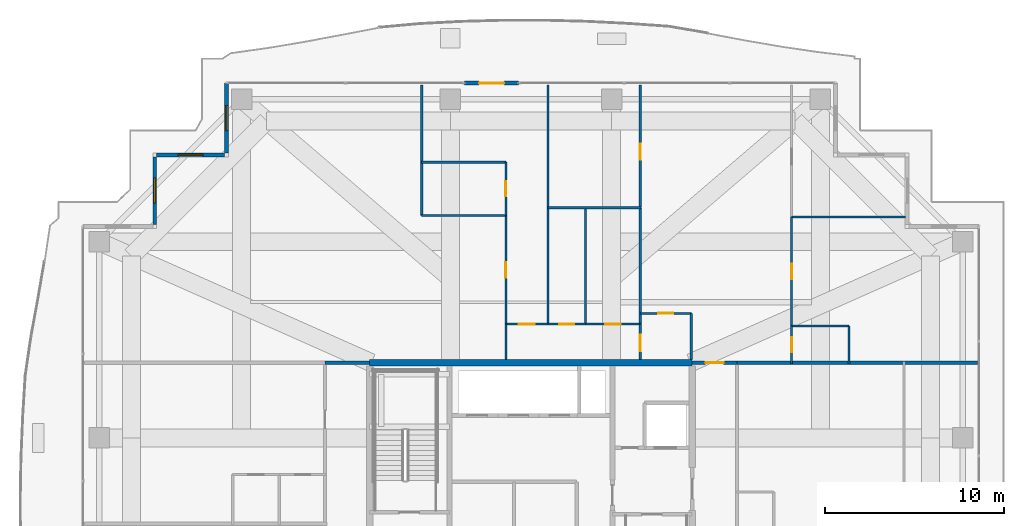
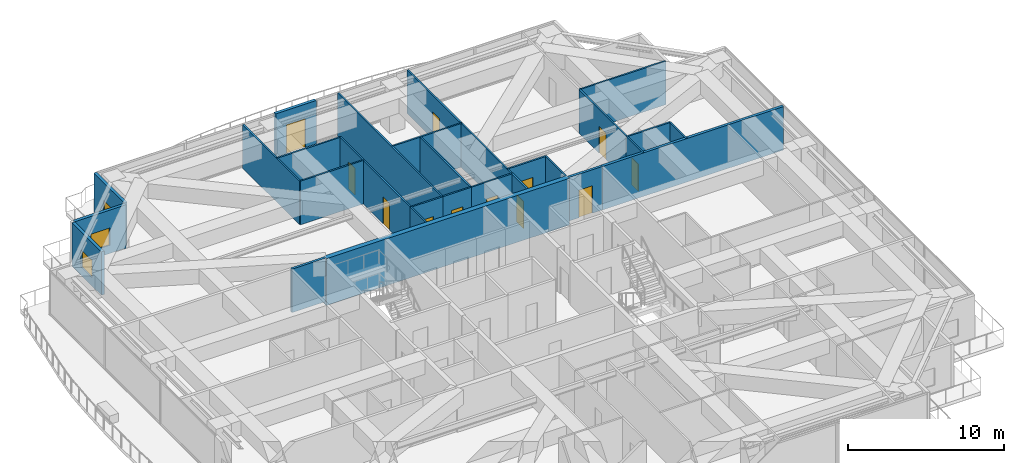
# One storey, part 31 of 39: 30 walls, 12 doors, 3 windows, 15 openings.
"""IFC4 building model written with IfcOpenShell, lengths in metres."""

import ifcopenshell
import ifcopenshell.guid

model = None  # the IFC model being written
_history = None  # IfcOwnerHistory: only IFC2X3 demands one
_inside = {}  # id of a spatial element -> (the spatial element, [elements in it])
_under = {}  # id of a project, library or spatial element -> (it, [spatial elements below it])
_declared = {}  # id of a project -> (the project, [libraries it declares])
_typed = {}  # id of a type object -> (the type object, [elements of that type])
_made_of = {}  # id of a material, layer set ... -> (it, [elements and type objects made of it])


def new_model(schema):
    """Start an empty IFC model of exactly this schema.

    Asked for "IFC4X3", IfcOpenShell would pick the latest addendum, in which some entities
    have other attributes; the version numbers below select the first issue.
    IFC2X3 requires an IfcOwnerHistory on every rooted entity: one is made here for all.
    """
    global model, _history
    if schema == "IFC4X3":
        model = ifcopenshell.file(schema_version=(4, 3, 0, 0))
    else:
        model = ifcopenshell.file(schema=schema)
    _inside.clear()
    _under.clear()
    _declared.clear()
    _typed.clear()
    _made_of.clear()
    _history = None
    if model.schema == "IFC2X3":
        org = make("IfcOrganization", Name="unknown")
        user = make(
            "IfcPersonAndOrganization",
            ThePerson=make("IfcPerson", FamilyName="unknown"),
            TheOrganization=org,
        )
        app = make(
            "IfcApplication",
            ApplicationDeveloper=org,
            Version="unknown",
            ApplicationFullName="unknown",
            ApplicationIdentifier="unknown",
        )
        _history = make(
            "IfcOwnerHistory",
            OwningUser=user,
            OwningApplication=app,
            ChangeAction="ADDED",
            CreationDate=0,
        )
    return model


def make(cls, **values):
    """One entity of the class cls with the attributes given. An attribute that is None is left unset."""
    return model.create_entity(
        cls, **{name: value for name, value in values.items() if value is not None}
    )


def rooted(cls, **values):
    """An entity with a GlobalId (a new one), such as an element, a storey or a relation."""
    return make(cls, GlobalId=ifcopenshell.guid.new(), OwnerHistory=_history, **values)


def si_unit(unit_type, name, prefix=None):
    """IfcSIUnit, for example si_unit("LENGTHUNIT", "METRE", prefix="MILLI")."""
    return make("IfcSIUnit", UnitType=unit_type, Prefix=prefix, Name=name)


def assignment(units):
    """IfcUnitAssignment: the units of a project."""
    return None if units is None else make("IfcUnitAssignment", Units=units)


def point(xyz):
    """IfcCartesianPoint."""
    return None if xyz is None else make("IfcCartesianPoint", Coordinates=xyz)


def direction(xyz):
    """IfcDirection."""
    return None if xyz is None else make("IfcDirection", DirectionRatios=xyz)


def frame(location, z_axis=None, x_axis=None):
    """IfcAxis2Placement3D, a coordinate frame: its origin and axes. An axis left out is left unset."""
    return make(
        "IfcAxis2Placement3D",
        Location=point(location),
        Axis=direction(z_axis),
        RefDirection=direction(x_axis),
    )


def frame_2d(location, x_axis=None):
    """IfcAxis2Placement2D, a coordinate frame in the plane: its origin and x axis."""
    return make(
        "IfcAxis2Placement2D", Location=point(location), RefDirection=direction(x_axis)
    )


def origin():
    """The frame at (0, 0, 0) with its axes left unset."""
    return frame((0.0, 0.0, 0.0))


def place(relative_to, where):
    """IfcLocalPlacement: puts the frame where relative to a parent placement (None: the world)."""
    return make(
        "IfcLocalPlacement", PlacementRelTo=relative_to, RelativePlacement=where
    )


def context(
    kind, dimensions, precision=None, world=None, true_north=None, identifier=None
):
    """IfcGeometricRepresentationContext, for example the 3D "Model" context."""
    return make(
        "IfcGeometricRepresentationContext",
        ContextIdentifier=identifier,
        ContextType=kind,
        CoordinateSpaceDimension=dimensions,
        Precision=precision,
        WorldCoordinateSystem=world,
        TrueNorth=true_north,
    )


def subcontext(parent, identifier, kind, view, scale=None):
    """IfcGeometricRepresentationSubContext, for example "Body" below "Model"."""
    return make(
        "IfcGeometricRepresentationSubContext",
        ContextIdentifier=identifier,
        ContextType=kind,
        ParentContext=parent,
        TargetScale=scale,
        TargetView=view,
    )


def project(units=None, contexts=None):
    """IfcProject with its units and contexts."""
    return rooted(
        "IfcProject",
        Name="project",
        RepresentationContexts=contexts,
        UnitsInContext=assignment(units),
    )


def spatial(cls, under=None, at=None, **own):
    """A site, building, storey or space (cls), placed at a placement, below another one or the project."""
    s = rooted(cls, ObjectPlacement=at, **own)
    if under is not None:
        _under.setdefault(under.id(), (under, []))[1].append(s)
    return s


def profile(cls, at=None, kind="AREA", **sizes):
    """A parametric profile (cls). Its sizes go by their IFC names, for example OverallWidth=200.0."""
    return make(cls, ProfileType=kind, Position=at, **sizes)


def rectangle(**sizes):
    """IfcRectangleProfileDef."""
    return profile("IfcRectangleProfileDef", **sizes)


def extrude(swept, where, along, depth):
    """IfcExtrudedAreaSolid: the profile swept, set in the frame where, extruded along a direction by depth."""
    return make(
        "IfcExtrudedAreaSolid",
        SweptArea=swept,
        Position=where,
        ExtrudedDirection=direction(along),
        Depth=depth,
    )


def shape(context_of_items, identifier, shape_type, items):
    """IfcShapeRepresentation: the items that make up one representation, for example the "Body"."""
    return make(
        "IfcShapeRepresentation",
        ContextOfItems=context_of_items,
        RepresentationIdentifier=identifier,
        RepresentationType=shape_type,
        Items=items,
    )


def source(mapping_origin, context_of_items, identifier, shape_type, items):
    """IfcRepresentationMap: a shape defined once, which mapped items show again and again."""
    return make(
        "IfcRepresentationMap",
        MappingOrigin=mapping_origin,
        MappedRepresentation=shape(context_of_items, identifier, shape_type, items),
    )


def transform(
    local_origin,
    x_axis=None,
    y_axis=None,
    z_axis=None,
    scale=None,
    scale2=None,
    scale3=None,
    uniform=True,
):
    """IfcCartesianTransformationOperator3D, or its non-uniform kind. x_axis, y_axis, z_axis: its Axis1, 2, 3."""
    if uniform:
        return make(
            "IfcCartesianTransformationOperator3D",
            Axis1=direction(x_axis),
            Axis2=direction(y_axis),
            LocalOrigin=point(local_origin),
            Scale=scale,
            Axis3=direction(z_axis),
        )
    return make(
        "IfcCartesianTransformationOperator3DnonUniform",
        Axis1=direction(x_axis),
        Axis2=direction(y_axis),
        LocalOrigin=point(local_origin),
        Scale=scale,
        Axis3=direction(z_axis),
        Scale2=scale2,
        Scale3=scale3,
    )


def mapped(mapping_source, mapping_target):
    """IfcMappedItem: shows the shape of a source again, moved by a transform."""
    return make(
        "IfcMappedItem", MappingSource=mapping_source, MappingTarget=mapping_target
    )


def material(Name=None, Category=None):
    """IfcMaterial."""
    return make("IfcMaterial", Name=Name, Category=Category)


def layer(
    of_material, thickness, ventilated=None, Name=None, Category=None, Priority=None
):
    """IfcMaterialLayer: one layer of a wall or slab, of a material (None: an air gap)."""
    return make(
        "IfcMaterialLayer",
        Material=of_material,
        LayerThickness=thickness,
        IsVentilated=ventilated,
        Name=Name,
        Category=Category,
        Priority=Priority,
    )


def layer_set(layers, Name=None):
    """IfcMaterialLayerSet."""
    return make("IfcMaterialLayerSet", MaterialLayers=layers, LayerSetName=Name)


def made_of(thing, what):
    """Note that an element or type object is made of a material, layer set ...; save() writes the relation."""
    if what is not None:
        _made_of.setdefault(what.id(), (what, []))[1].append(thing)
    return thing


def type_object(cls, material=None, **own):
    """A type object (cls), such as IfcWallType, which elements share."""
    return made_of(rooted(cls, **own), material)


def element(
    cls,
    number,
    at=None,
    inside=None,
    cuts=None,
    type_object=None,
    material=None,
    context=None,
    identifier="Body",
    shape_type=None,
    held_by="IfcProductDefinitionShape",
    body=None,
    shapes=None,
    **own,
):
    """One element of the class cls, such as IfcWall. Its Tag is "e" and its number.

    at: its placement. inside: the storey or other place that contains it. cuts: it is an
    opening in that element (IfcRelVoidsElement). A single representation is given by context,
    identifier, shape_type and body (its items); several are given by shapes. held_by: the class
    of the entity that holds the representations. save() writes the other relations.
    """
    e = rooted(cls, Tag="e%d" % number, ObjectPlacement=at, **own)
    if body is not None:
        shapes = [shape(context, identifier, shape_type, body)]
    if shapes is not None:
        e.Representation = make(held_by, Representations=shapes)
    if inside is not None:
        _inside.setdefault(inside.id(), (inside, []))[1].append(e)
    if cuts is not None:
        rooted(
            "IfcRelVoidsElement", RelatingBuildingElement=cuts, RelatedOpeningElement=e
        )
    if type_object is not None:
        _typed.setdefault(type_object.id(), (type_object, []))[1].append(e)
    return made_of(e, material)


def fill(opening, filler):
    """IfcRelFillsElement: the door or window that sits in an opening."""
    return rooted(
        "IfcRelFillsElement",
        RelatingOpeningElement=opening,
        RelatedBuildingElement=filler,
    )


def aggregate(whole, parts):
    """IfcRelAggregates: a whole, such as a stair, and the parts it consists of."""
    return rooted("IfcRelAggregates", RelatingObject=whole, RelatedObjects=parts)


def save(model, path):
    """Write the relations noted so far, then the file.

    IfcRelAggregates (storeys below a building ...), IfcRelContainedInSpatialStructure (elements
    in a storey), IfcRelDefinesByType, IfcRelAssociatesMaterial and IfcRelDeclares: one each for
    every whole, place, type object, material and project.
    """
    for whole, parts in _under.values():
        aggregate(whole, parts)
    for where, things in _inside.values():
        rooted(
            "IfcRelContainedInSpatialStructure",
            RelatedElements=things,
            RelatingStructure=where,
        )
    for kind, things in _typed.values():
        rooted("IfcRelDefinesByType", RelatedObjects=things, RelatingType=kind)
    for what, things in _made_of.values():
        rooted("IfcRelAssociatesMaterial", RelatedObjects=things, RelatingMaterial=what)
    for by, libraries in _declared.values():
        rooted("IfcRelDeclares", RelatingContext=by, RelatedDefinitions=libraries)
    model.write(path)


model = new_model("IFC4")

# Units and contexts
model_context = context("Model", 3, precision=1e-05, world=origin(), true_north=direction((0.0, 1.0)))
body_context = subcontext(model_context, "Body", "Model", "MODEL_VIEW")
ifc_project = project(units=[si_unit("LENGTHUNIT", "METRE"), si_unit("AREAUNIT", "SQUARE_METRE"), si_unit("VOLUMEUNIT", "CUBIC_METRE"), si_unit("PLANEANGLEUNIT", "RADIAN"), si_unit("MASSUNIT", "GRAM", prefix="KILO")], contexts=[model_context])

# Site, building, storey
site_placement = place(None, origin())
site = spatial("IfcSite", under=ifc_project, at=site_placement, CompositionType="ELEMENT")
building_placement = place(site_placement, origin())
building = spatial("IfcBuilding", under=site, at=building_placement, Name="Serunith Strait Residences", CompositionType="ELEMENT")
storey_placement = place(building_placement, frame((0.0, 0.0, 283.60009765625)))
storey = spatial("IfcBuildingStorey", under=building, at=storey_placement, Name="L71", CompositionType="ELEMENT", Elevation=283.60009765625)

# Wall, opening, door
ifc_material_1 = material(Name="Pale-Champagne Aluminium Insulated Panel", Category="aluminium")
ifc_layer_1 = layer(ifc_material_1, 0.219970703125, Name="Pale-Champagne Aluminium Insulated Panel")
ifc_layer_set_1 = layer_set([ifc_layer_1], Name="Pale-Champagne Aluminium Insulated Panel")
wall_type_1 = type_object("IfcWallType", Name="EW-ALUM-220", PredefinedType="ELEMENTEDWALL", material=ifc_layer_set_1)
wall_1_placement = place(storey_placement, frame((31.699951171875, 49.199951171875, 0.0), z_axis=(0.0, 0.0, 1.0), x_axis=(-1.0, 0.0, 0.0)))
wall_1 = element("IfcWall", 1, at=wall_1_placement, inside=storey, type_object=wall_type_1, Name="L71 N Facade Pier Wall", PredefinedType="ELEMENTEDWALL", context=body_context, shape_type="SweptSolid", body=[
    extrude(rectangle(XDim=3.0, YDim=0.219970703125, at=frame_2d((1.5, 0.0))), origin(), (0.0, 0.0, 1.0), 3.39501953125),
])
opening_1_placement = place(wall_1_placement, frame((0.800048828125, 0.0, 0.0)))
opening_1 = element("IfcOpeningElement", 2, at=opening_1_placement, cuts=wall_1, Name="Opening ED-04", PredefinedType="OPENING", context=body_context, shape_type="SweptSolid", body=[
    extrude(rectangle(XDim=1.39990234375, YDim=2.25, at=frame_2d((0.699951171875, 1.125))), frame((0.0, 0.1201171875, 0.0), z_axis=(0.0, -1.0, 0.0), x_axis=(1.0, 0.0, 0.0)), (0.0, 0.0, 1.0), 0.239990234375),
])
ifc_material_2 = material(Name="Thermally-Broken Aluminium Sliding Balcony Door", Category="aluminium")
door_type_1 = type_object("IfcDoorType", Name="ED-BALC-1400", OperationType="NOTDEFINED", PredefinedType="DOOR", material=ifc_material_2)
shared_shape_1 = source(origin(), body_context, "Body", "SweptSolid", [
    extrude(rectangle(XDim=1.39990234375, YDim=2.25, at=frame_2d((0.699951171875, 1.125))), frame((0.0, 0.02490234375, 0.0), z_axis=(0.0, -1.0, 0.0), x_axis=(1.0, 0.0, 0.0)), (0.0, 0.0, 1.0), 0.050048828125),
])
door_1_placement = place(opening_1_placement, origin())
door_1 = element("IfcDoor", 3, at=door_1_placement, inside=storey, type_object=door_type_1, Name="L71 N Vertical-Forest Balcony Door", OperationType="SLIDING_TO_LEFT", OverallHeight=2.25, OverallWidth=1.39990234375, PredefinedType="DOOR", context=body_context, shape_type="MappedRepresentation", body=[
    mapped(shared_shape_1, transform((0.0, 0.0, 0.0), scale=1.0)),
])
fill(opening_1, door_1)

# Wall, opening, window
wall_2_placement = place(storey_placement, frame((15.39990234375, 49.199951171875, 0.0), z_axis=(0.0, 0.0, 1.0), x_axis=(0.0, -1.0, 0.0)))
wall_2 = element("IfcWall", 4, at=wall_2_placement, inside=storey, type_object=wall_type_1, Name="L71 Girih Serrated Corner Wall 12", PredefinedType="ELEMENTEDWALL", context=body_context, shape_type="SweptSolid", body=[
    extrude(rectangle(XDim=3.889892578125, YDim=0.219970703125, at=frame_2d((1.94482421875, 0.0))), origin(), (0.0, 0.0, 1.0), 3.39501953125),
])
opening_2_placement = place(wall_2_placement, frame((1.2451171875, 0.0, 0.64990234375)))
opening_2 = element("IfcOpeningElement", 5, at=opening_2_placement, cuts=wall_2, Name="Opening W-09", PredefinedType="OPENING", context=body_context, shape_type="SweptSolid", body=[
    extrude(rectangle(XDim=1.39990234375, YDim=1.35009765625, at=frame_2d((0.699951171875, 0.675048828125))), frame((0.0, 0.1201171875, 0.0), z_axis=(0.0, -1.0, 0.0), x_axis=(1.0, 0.0, 0.0)), (0.0, 0.0, 1.0), 0.239990234375),
])
ifc_material_3 = material(Name="Setback Spandrel Ceramic-Fritted Operable Window Glass", Category="glass")
window_type = type_object("IfcWindowType", Name="WIN-C7", PartitioningType="DOUBLE_PANEL_VERTICAL", PredefinedType="WINDOW", material=ifc_material_3)
shared_shape_2 = source(origin(), body_context, "Body", "SweptSolid", [
    extrude(rectangle(XDim=1.39990234375, YDim=1.35009765625, at=frame_2d((0.699951171875, 0.675048828125))), frame((0.0, 0.030029296875, 0.0), z_axis=(0.0, -1.0, 0.0), x_axis=(1.0, 0.0, 0.0)), (0.0, 0.0, 1.0), 0.06005859375),
])
window_1_placement = place(opening_2_placement, origin())
window_1 = element("IfcWindow", 6, at=window_1_placement, inside=storey, type_object=window_type, Name="L71 Corner Operable Fritted Window 12", OverallHeight=1.35009765625, OverallWidth=1.39990234375, PartitioningType="SINGLE_PANEL", PredefinedType="WINDOW", context=body_context, shape_type="MappedRepresentation", body=[
    mapped(shared_shape_2, transform((0.0, 0.0, 0.0), scale=1.0)),
])
fill(opening_2, window_1)

wall_3_placement = place(storey_placement, frame((15.2900390625, 45.199951171875, 0.0), z_axis=(0.0, 0.0, 1.0), x_axis=(-1.0, 0.0, 0.0)))
wall_3 = element("IfcWall", 7, at=wall_3_placement, inside=storey, type_object=wall_type_1, Name="L71 Girih Serrated Corner Wall 13", PredefinedType="ELEMENTEDWALL", context=body_context, shape_type="SweptSolid", body=[
    extrude(rectangle(XDim=3.780029296875, YDim=0.219970703125, at=frame_2d((1.89013671875, 0.0))), origin(), (0.0, 0.0, 1.0), 3.39501953125),
])
opening_3_placement = place(wall_3_placement, frame((1.18994140625, 0.0, 0.64990234375)))
opening_3 = element("IfcOpeningElement", 8, at=opening_3_placement, cuts=wall_3, Name="Opening W-09", PredefinedType="OPENING", context=body_context, shape_type="SweptSolid", body=[
    extrude(rectangle(XDim=1.39990234375, YDim=1.35009765625, at=frame_2d((0.699951171875, 0.675048828125))), frame((0.0, 0.1201171875, 0.0), z_axis=(0.0, -1.0, 0.0), x_axis=(1.0, 0.0, 0.0)), (0.0, 0.0, 1.0), 0.239990234375),
])
window_2_placement = place(opening_3_placement, origin())
window_2 = element("IfcWindow", 9, at=window_2_placement, inside=storey, type_object=window_type, Name="L71 Corner Operable Fritted Window 13", OverallHeight=1.35009765625, OverallWidth=1.39990234375, PartitioningType="SINGLE_PANEL", PredefinedType="WINDOW", context=body_context, shape_type="MappedRepresentation", body=[
    mapped(shared_shape_2, transform((0.0, 0.0, 0.0), scale=1.0)),
])
fill(opening_3, window_2)

wall_4_placement = place(storey_placement, frame((11.39990234375, 45.090087890625, 0.0), z_axis=(0.0, 0.0, 1.0), x_axis=(0.0, -1.0, 0.0)))
wall_4 = element("IfcWall", 10, at=wall_4_placement, inside=storey, type_object=wall_type_1, Name="L71 Girih Serrated Corner Wall 14", PredefinedType="ELEMENTEDWALL", context=body_context, shape_type="SweptSolid", body=[
    extrude(rectangle(XDim=3.780029296875, YDim=0.219970703125, at=frame_2d((1.89013671875, 0.0))), origin(), (0.0, 0.0, 1.0), 3.39501953125),
])
opening_4_placement = place(wall_4_placement, frame((1.18994140625, 0.0, 0.64990234375)))
opening_4 = element("IfcOpeningElement", 11, at=opening_4_placement, cuts=wall_4, Name="Opening W-09", PredefinedType="OPENING", context=body_context, shape_type="SweptSolid", body=[
    extrude(rectangle(XDim=1.39990234375, YDim=1.35009765625, at=frame_2d((0.699951171875, 0.675048828125))), frame((0.0, 0.1201171875, 0.0), z_axis=(0.0, -1.0, 0.0), x_axis=(1.0, 0.0, 0.0)), (0.0, 0.0, 1.0), 0.239990234375),
])
window_3_placement = place(opening_4_placement, origin())
window_3 = element("IfcWindow", 12, at=window_3_placement, inside=storey, type_object=window_type, Name="L71 Corner Operable Fritted Window 14", OverallHeight=1.35009765625, OverallWidth=1.39990234375, PartitioningType="SINGLE_PANEL", PredefinedType="WINDOW", context=body_context, shape_type="MappedRepresentation", body=[
    mapped(shared_shape_2, transform((0.0, 0.0, 0.0), scale=1.0)),
])
fill(opening_4, window_3)

# Wall
ifc_material_4 = material(Name="Fire-rated acoustic gypsum partition")
ifc_layer_2 = layer(ifc_material_4, 0.179931640625, Name="Fire-rated acoustic gypsum partition")
ifc_layer_set_2 = layer_set([ifc_layer_2], Name="Fire-rated acoustic gypsum partition")
wall_type_2 = type_object("IfcWallType", Name="IW-CORR-180", PredefinedType="PARTITIONING", material=ifc_layer_set_2)
wall_5_placement = place(storey_placement, frame((20.902099609375, 33.60009765625, 0.0), z_axis=(0.0, 0.0, 1.0), x_axis=(1.0, 0.0, 0.0)))
element("IfcWall", 13, at=wall_5_placement, inside=storey, type_object=wall_type_2, Name="L71 Partition Wall 024", PredefinedType="PARTITIONING", context=body_context, shape_type="SweptSolid", body=[
    extrude(rectangle(XDim=2.495849609375, YDim=0.179931640625, at=frame_2d((1.248046875, 0.0))), origin(), (0.0, 0.0, 1.0), 3.409912109375),
])

# Wall, opening, door
wall_6_placement = place(storey_placement, frame((41.402099609375, 33.60009765625, 0.0), z_axis=(0.0, 0.0, 1.0), x_axis=(1.0, 0.0, 0.0)))
wall_6 = element("IfcWall", 14, at=wall_6_placement, inside=storey, type_object=wall_type_2, Name="L71 Partition Wall 027", PredefinedType="PARTITIONING", context=body_context, shape_type="SweptSolid", body=[
    extrude(rectangle(XDim=2.495849609375, YDim=0.179931640625, at=frame_2d((1.248046875, 0.0))), origin(), (0.0, 0.0, 1.0), 3.409912109375),
])
opening_5_placement = place(wall_6_placement, frame((0.748046875, 0.0, 0.0)))
opening_5 = element("IfcOpeningElement", 15, at=opening_5_placement, cuts=wall_6, Name="Opening D-APT1000", PredefinedType="OPENING", context=body_context, shape_type="SweptSolid", body=[
    extrude(rectangle(XDim=1.0, YDim=2.14990234375, at=frame_2d((0.5, 1.074951171875))), frame((0.0, 0.10009765625, 0.0), z_axis=(0.0, -1.0, 0.0), x_axis=(1.0, 0.0, 0.0)), (0.0, 0.0, 1.0), 0.199951171875),
])
ifc_material_5 = material(Name="Solid timber engineered fire door", Category="wood")
door_type_2 = type_object("IfcDoorType", Name="ID-APT-1000", OperationType="NOTDEFINED", PredefinedType="DOOR", material=ifc_material_5)
shared_shape_3 = source(origin(), body_context, "Body", "SweptSolid", [
    extrude(rectangle(XDim=1.0, YDim=2.14990234375, at=frame_2d((0.5, 1.074951171875))), frame((0.0, 0.02490234375, 0.0), z_axis=(0.0, -1.0, 0.0), x_axis=(1.0, 0.0, 0.0)), (0.0, 0.0, 1.0), 0.050048828125),
])
door_2_placement = place(opening_5_placement, origin())
door_2 = element("IfcDoor", 16, at=door_2_placement, inside=storey, type_object=door_type_2, Name="L71 Unit 02 Entrance Door", OperationType="SINGLE_SWING_RIGHT", OverallHeight=2.14990234375, OverallWidth=1.0, PredefinedType="DOOR", context=body_context, shape_type="MappedRepresentation", body=[
    mapped(shared_shape_3, transform((0.0, 0.0, 0.0), scale=1.0)),
])
fill(opening_5, door_2)

ifc_material_6 = material(Name="Lightweight steel-stud gypsum partition", Category="steel")
ifc_layer_3 = layer(ifc_material_6, 0.1201171875, Name="Lightweight steel-stud gypsum partition")
ifc_layer_set_3 = layer_set([ifc_layer_3], Name="Lightweight steel-stud gypsum partition")
wall_type_3 = type_object("IfcWallType", Name="IW-PART-120", PredefinedType="PARTITIONING", material=ifc_layer_set_3)
wall_7_placement = place(storey_placement, frame((38.5, 36.35009765625, 0.0), z_axis=(0.0, 0.0, 1.0), x_axis=(1.0, 0.0, 0.0)))
wall_7 = element("IfcWall", 17, at=wall_7_placement, inside=storey, type_object=wall_type_3, Name="L71 Partition Wall 052", PredefinedType="PARTITIONING", context=body_context, shape_type="SweptSolid", body=[
    extrude(rectangle(XDim=2.85009765625, YDim=0.1201171875, at=frame_2d((1.425048828125, 0.0))), origin(), (0.0, 0.0, 1.0), 3.409912109375),
])
opening_6_placement = place(wall_7_placement, frame((1.0, 0.0, 0.0)))
opening_6 = element("IfcOpeningElement", 18, at=opening_6_placement, cuts=wall_7, Name="Opening D-RM850", PredefinedType="OPENING", context=body_context, shape_type="SweptSolid", body=[
    extrude(rectangle(XDim=0.85009765625, YDim=2.10009765625, at=frame_2d((0.425048828125, 1.050048828125))), frame((0.0, 0.070068359375, 0.0), z_axis=(0.0, -1.0, 0.0), x_axis=(1.0, 0.0, 0.0)), (0.0, 0.0, 1.0), 0.14013671875),
])
ifc_material_7 = material(Name="Engineered timber flush study and kitchen door", Category="wood")
door_type_3 = type_object("IfcDoorType", Name="ID-ROOM-850", OperationType="NOTDEFINED", PredefinedType="DOOR", material=ifc_material_7)
shared_shape_4 = source(origin(), body_context, "Body", "SweptSolid", [
    extrude(rectangle(XDim=0.85009765625, YDim=2.10009765625, at=frame_2d((0.425048828125, 1.050048828125))), frame((0.0, 0.02490234375, 0.0), z_axis=(0.0, -1.0, 0.0), x_axis=(1.0, 0.0, 0.0)), (0.0, 0.0, 1.0), 0.050048828125),
])
door_3_placement = place(opening_6_placement, origin())
door_3 = element("IfcDoor", 19, at=door_3_placement, inside=storey, type_object=door_type_3, Name="L71 Kitchen 7102 Door", OperationType="SINGLE_SWING_LEFT", OverallHeight=2.10009765625, OverallWidth=0.85009765625, PredefinedType="DOOR", context=body_context, shape_type="MappedRepresentation", body=[
    mapped(shared_shape_4, transform((0.0, 0.0, 0.0), scale=1.0)),
])
fill(opening_6, door_3)

# Wall
wall_8_placement = place(storey_placement, frame((41.35009765625, 36.35009765625, 0.0), z_axis=(0.0, 0.0, 1.0), x_axis=(0.0, -1.0, 0.0)))
element("IfcWall", 20, at=wall_8_placement, inside=storey, type_object=wall_type_3, Name="L71 Partition Wall 053", PredefinedType="PARTITIONING", context=body_context, shape_type="SweptSolid", body=[
    extrude(rectangle(XDim=2.5751953125, YDim=0.1201171875, at=frame_2d((1.28759765625, 0.0))), origin(), (0.0, 0.0, 1.0), 3.409912109375),
])

# Wall, opening, door
wall_9_placement = place(storey_placement, frame((38.5, 35.75, 0.0), z_axis=(0.0, 0.0, 1.0), x_axis=(0.0, -1.0, 0.0)))
wall_9 = element("IfcWall", 21, at=wall_9_placement, inside=storey, type_object=wall_type_3, Name="L71 Partition Wall 054", PredefinedType="PARTITIONING", context=body_context, shape_type="SweptSolid", body=[
    extrude(rectangle(XDim=1.97509765625, YDim=0.1201171875, at=frame_2d((0.987548828125, 0.0))), origin(), (0.0, 0.0, 1.0), 3.409912109375),
])
opening_7_placement = place(wall_9_placement, frame((0.60107421875, 0.0, 0.0)))
opening_7 = element("IfcOpeningElement", 22, at=opening_7_placement, cuts=wall_9, Name="Opening D-RM900", PredefinedType="OPENING", context=body_context, shape_type="SweptSolid", body=[
    extrude(rectangle(XDim=0.89990234375, YDim=2.10009765625, at=frame_2d((0.449951171875, 1.050048828125))), frame((0.0, 0.070068359375, 0.0), z_axis=(0.0, -1.0, 0.0), x_axis=(1.0, 0.0, 0.0)), (0.0, 0.0, 1.0), 0.14013671875),
])
ifc_material_8 = material(Name="Engineered timber flush bedroom door", Category="wood")
door_type_4 = type_object("IfcDoorType", Name="ID-ROOM-900", OperationType="NOTDEFINED", PredefinedType="DOOR", material=ifc_material_8)
shared_shape_5 = source(origin(), body_context, "Body", "SweptSolid", [
    extrude(rectangle(XDim=0.89990234375, YDim=2.10009765625, at=frame_2d((0.449951171875, 1.050048828125))), frame((0.0, 0.02490234375, 0.0), z_axis=(0.0, -1.0, 0.0), x_axis=(1.0, 0.0, 0.0)), (0.0, 0.0, 1.0), 0.050048828125),
])
door_4_placement = place(opening_7_placement, origin())
door_4 = element("IfcDoor", 23, at=door_4_placement, inside=storey, type_object=door_type_4, Name="L71 Hall W 7102 Door", OperationType="SINGLE_SWING_RIGHT", OverallHeight=2.10009765625, OverallWidth=0.89990234375, PredefinedType="DOOR", context=body_context, shape_type="MappedRepresentation", body=[
    mapped(shared_shape_5, transform((0.0, 0.0, 0.0), scale=1.0)),
])
fill(opening_7, door_4)

wall_10_placement = place(storey_placement, frame((38.5, 49.10498046875, 0.0), z_axis=(0.0, 0.0, 1.0), x_axis=(0.0, -1.0, 0.0)))
wall_10 = element("IfcWall", 24, at=wall_10_placement, inside=storey, type_object=wall_type_3, Name="L71 Partition Wall 055", PredefinedType="PARTITIONING", context=body_context, shape_type="SweptSolid", body=[
    extrude(rectangle(XDim=6.85498046875, YDim=0.1201171875, at=frame_2d((3.427490234375, 0.0))), origin(), (0.0, 0.0, 1.0), 3.409912109375),
])
opening_8_placement = place(wall_10_placement, frame((3.27490234375, 0.0, 0.0)))
opening_8 = element("IfcOpeningElement", 25, at=opening_8_placement, cuts=wall_10, Name="Opening D-RM900", PredefinedType="OPENING", context=body_context, shape_type="SweptSolid", body=[
    extrude(rectangle(XDim=0.89990234375, YDim=2.10009765625, at=frame_2d((0.449951171875, 1.050048828125))), frame((0.0, 0.070068359375, 0.0), z_axis=(0.0, -1.0, 0.0), x_axis=(1.0, 0.0, 0.0)), (0.0, 0.0, 1.0), 0.14013671875),
])
door_5_placement = place(opening_8_placement, origin())
door_5 = element("IfcDoor", 26, at=door_5_placement, inside=storey, type_object=door_type_4, Name="L71 Formal Dining Room 1 7102 Door", OperationType="SINGLE_SWING_LEFT", OverallHeight=2.10009765625, OverallWidth=0.89990234375, PredefinedType="DOOR", context=body_context, shape_type="MappedRepresentation", body=[
    mapped(shared_shape_5, transform((0.0, 0.0, 0.0), scale=1.0)),
])
fill(opening_8, door_5)

# Walls
wall_11_placement = place(storey_placement, frame((38.5, 42.248046875, 0.0), z_axis=(0.0, 0.0, 1.0), x_axis=(0.0, -1.0, 0.0)))
element("IfcWall", 27, at=wall_11_placement, inside=storey, type_object=wall_type_3, Name="L71 Partition Wall 056", PredefinedType="PARTITIONING", context=body_context, shape_type="SweptSolid", body=[
    extrude(rectangle(XDim=6.49609375, YDim=0.1201171875, at=frame_2d((3.248046875, 0.0))), origin(), (0.0, 0.0, 1.0), 3.409912109375),
])
wall_12_placement = place(storey_placement, frame((33.35009765625, 42.25, 0.0), z_axis=(0.0, 0.0, 1.0), x_axis=(1.0, 0.0, 0.0)))
element("IfcWall", 28, at=wall_12_placement, inside=storey, type_object=wall_type_3, Name="L71 Partition Wall 057", PredefinedType="PARTITIONING", context=body_context, shape_type="SweptSolid", body=[
    extrude(rectangle(XDim=5.14990234375, YDim=0.1201171875, at=frame_2d((2.574951171875, 0.0))), origin(), (0.0, 0.0, 1.0), 3.409912109375),
])
wall_13_placement = place(storey_placement, frame((33.35009765625, 49.10498046875, 0.0), z_axis=(0.0, 0.0, 1.0), x_axis=(0.0, -1.0, 0.0)))
element("IfcWall", 29, at=wall_13_placement, inside=storey, type_object=wall_type_3, Name="L71 Partition Wall 058", PredefinedType="PARTITIONING", context=body_context, shape_type="SweptSolid", body=[
    extrude(rectangle(XDim=13.35498046875, YDim=0.1201171875, at=frame_2d((6.677490234375, 0.0))), origin(), (0.0, 0.0, 1.0), 3.409912109375),
])
wall_14_placement = place(storey_placement, frame((35.449951171875, 42.25, 0.0), z_axis=(0.0, 0.0, 1.0), x_axis=(0.0, -1.0, 0.0)))
element("IfcWall", 30, at=wall_14_placement, inside=storey, type_object=wall_type_3, Name="L71 Partition Wall 059", PredefinedType="PARTITIONING", context=body_context, shape_type="SweptSolid", body=[
    extrude(rectangle(XDim=6.5, YDim=0.1201171875, at=frame_2d((3.25, 0.0))), origin(), (0.0, 0.0, 1.0), 3.409912109375),
])

# Wall, opening, door
wall_15_placement = place(storey_placement, frame((33.35009765625, 35.75, 0.0), z_axis=(0.0, 0.0, 1.0), x_axis=(1.0, 0.0, 0.0)))
wall_15 = element("IfcWall", 31, at=wall_15_placement, inside=storey, type_object=wall_type_3, Name="L71 Partition Wall 060", PredefinedType="PARTITIONING", context=body_context, shape_type="SweptSolid", body=[
    extrude(rectangle(XDim=2.099853515625, YDim=0.1201171875, at=frame_2d((1.0498046875, 0.0))), origin(), (0.0, 0.0, 1.0), 3.409912109375),
])
opening_9_placement = place(wall_15_placement, frame((0.625, 0.0, 0.0)))
opening_9 = element("IfcOpeningElement", 32, at=opening_9_placement, cuts=wall_15, Name="Opening D-BTH850", PredefinedType="OPENING", context=body_context, shape_type="SweptSolid", body=[
    extrude(rectangle(XDim=0.85009765625, YDim=2.10009765625, at=frame_2d((0.425048828125, 1.050048828125))), frame((0.0, 0.070068359375, 0.0), z_axis=(0.0, -1.0, 0.0), x_axis=(1.0, 0.0, 0.0)), (0.0, 0.0, 1.0), 0.14013671875),
])
ifc_material_9 = material(Name="Moisture-resistant timber bathroom door", Category="wood")
door_type_5 = type_object("IfcDoorType", Name="ID-BATH-850", OperationType="NOTDEFINED", PredefinedType="DOOR", material=ifc_material_9)
door_6_placement = place(opening_9_placement, origin())
door_6 = element("IfcDoor", 33, at=door_6_placement, inside=storey, type_object=door_type_5, Name="L71 Bathroom 7102 Door", OperationType="SINGLE_SWING_RIGHT", OverallHeight=2.10009765625, OverallWidth=0.85009765625, PredefinedType="DOOR", context=body_context, shape_type="MappedRepresentation", body=[
    mapped(shared_shape_4, transform((0.0, 0.0, 0.0), scale=1.0)),
])
fill(opening_9, door_6)

wall_16_placement = place(storey_placement, frame((35.451904296875, 35.75, 0.0), z_axis=(0.0, 0.0, 1.0), x_axis=(1.0, 0.0, 0.0)))
wall_16 = element("IfcWall", 34, at=wall_16_placement, inside=storey, type_object=wall_type_3, Name="L71 Partition Wall 061", PredefinedType="PARTITIONING", context=body_context, shape_type="SweptSolid", body=[
    extrude(rectangle(XDim=3.048095703125, YDim=0.1201171875, at=frame_2d((1.52392578125, 0.0))), origin(), (0.0, 0.0, 1.0), 3.409912109375),
])
opening_10_placement = place(wall_16_placement, frame((1.09912109375, 0.0, 0.0)))
opening_10 = element("IfcOpeningElement", 35, at=opening_10_placement, cuts=wall_16, Name="Opening D-RM850", PredefinedType="OPENING", context=body_context, shape_type="SweptSolid", body=[
    extrude(rectangle(XDim=0.85009765625, YDim=2.10009765625, at=frame_2d((0.425048828125, 1.050048828125))), frame((0.0, 0.070068359375, 0.0), z_axis=(0.0, -1.0, 0.0), x_axis=(1.0, 0.0, 0.0)), (0.0, 0.0, 1.0), 0.14013671875),
])
door_7_placement = place(opening_10_placement, origin())
door_7 = element("IfcDoor", 36, at=door_7_placement, inside=storey, type_object=door_type_3, Name="L71 Formal Dining Room 7102 Door", OperationType="SINGLE_SWING_LEFT", OverallHeight=2.10009765625, OverallWidth=0.85009765625, PredefinedType="DOOR", context=body_context, shape_type="MappedRepresentation", body=[
    mapped(shared_shape_4, transform((0.0, 0.0, 0.0), scale=1.0)),
])
fill(opening_10, door_7)

wall_17_placement = place(storey_placement, frame((31.0, 35.75, 0.0), z_axis=(0.0, 0.0, 1.0), x_axis=(1.0, 0.0, 0.0)))
wall_17 = element("IfcWall", 37, at=wall_17_placement, inside=storey, type_object=wall_type_3, Name="L71 Partition Wall 062", PredefinedType="PARTITIONING", context=body_context, shape_type="SweptSolid", body=[
    extrude(rectangle(XDim=2.347900390625, YDim=0.1201171875, at=frame_2d((1.173828125, 0.0))), origin(), (0.0, 0.0, 1.0), 3.409912109375),
])
opening_11_placement = place(wall_17_placement, frame((0.72412109375, 0.0, 0.0)))
opening_11 = element("IfcOpeningElement", 38, at=opening_11_placement, cuts=wall_17, Name="Opening D-RM900", PredefinedType="OPENING", context=body_context, shape_type="SweptSolid", body=[
    extrude(rectangle(XDim=0.89990234375, YDim=2.10009765625, at=frame_2d((0.449951171875, 1.050048828125))), frame((0.0, 0.070068359375, 0.0), z_axis=(0.0, -1.0, 0.0), x_axis=(1.0, 0.0, 0.0)), (0.0, 0.0, 1.0), 0.14013671875),
])
door_8_placement = place(opening_11_placement, origin())
door_8 = element("IfcDoor", 39, at=door_8_placement, inside=storey, type_object=door_type_4, Name="L71 Master Bedroom W 7102 Door", OperationType="SINGLE_SWING_RIGHT", OverallHeight=2.10009765625, OverallWidth=0.89990234375, PredefinedType="DOOR", context=body_context, shape_type="MappedRepresentation", body=[
    mapped(shared_shape_5, transform((0.0, 0.0, 0.0), scale=1.0)),
])
fill(opening_11, door_8)

# Walls
wall_18_placement = place(storey_placement, frame((26.300048828125, 44.791015625, 0.0), z_axis=(0.0, 0.0, 1.0), x_axis=(1.0, 0.0, 0.0)))
element("IfcWall", 40, at=wall_18_placement, inside=storey, type_object=wall_type_3, Name="L71 Partition Wall 063", PredefinedType="PARTITIONING", context=body_context, shape_type="SweptSolid", body=[
    extrude(rectangle(XDim=4.699951171875, YDim=0.1201171875, at=frame_2d((2.35009765625, 0.0))), origin(), (0.0, 0.0, 1.0), 3.409912109375),
])
wall_19_placement = place(storey_placement, frame((26.300048828125, 49.10498046875, 0.0), z_axis=(0.0, 0.0, 1.0), x_axis=(0.0, -1.0, 0.0)))
element("IfcWall", 41, at=wall_19_placement, inside=storey, type_object=wall_type_3, Name="L71 Partition Wall 064", PredefinedType="PARTITIONING", context=body_context, shape_type="SweptSolid", body=[
    extrude(rectangle(XDim=7.29296875, YDim=0.1201171875, at=frame_2d((3.646484375, 0.0))), origin(), (0.0, 0.0, 1.0), 3.409912109375),
])
wall_20_placement = place(storey_placement, frame((26.300048828125, 41.81201171875, 0.0), z_axis=(0.0, 0.0, 1.0), x_axis=(1.0, 0.0, 0.0)))
element("IfcWall", 42, at=wall_20_placement, inside=storey, type_object=wall_type_3, Name="L71 Partition Wall 065", PredefinedType="PARTITIONING", context=body_context, shape_type="SweptSolid", body=[
    extrude(rectangle(XDim=4.699951171875, YDim=0.1201171875, at=frame_2d((2.35009765625, 0.0))), origin(), (0.0, 0.0, 1.0), 3.409912109375),
])

# Wall, opening, door
wall_21_placement = place(storey_placement, frame((31.0, 44.791015625, 0.0), z_axis=(0.0, 0.0, 1.0), x_axis=(0.0, -1.0, 0.0)))
wall_21 = element("IfcWall", 43, at=wall_21_placement, inside=storey, type_object=wall_type_3, Name="L71 Partition Wall 066", PredefinedType="PARTITIONING", context=body_context, shape_type="SweptSolid", body=[
    extrude(rectangle(XDim=2.97900390625, YDim=0.1201171875, at=frame_2d((1.489501953125, 0.0))), origin(), (0.0, 0.0, 1.0), 3.409912109375),
])
opening_12_placement = place(wall_21_placement, frame((1.06396484375, 0.0, 0.0)))
opening_12 = element("IfcOpeningElement", 44, at=opening_12_placement, cuts=wall_21, Name="Opening D-BTH850", PredefinedType="OPENING", context=body_context, shape_type="SweptSolid", body=[
    extrude(rectangle(XDim=0.85009765625, YDim=2.10009765625, at=frame_2d((0.425048828125, 1.050048828125))), frame((0.0, 0.070068359375, 0.0), z_axis=(0.0, -1.0, 0.0), x_axis=(1.0, 0.0, 0.0)), (0.0, 0.0, 1.0), 0.14013671875),
])
door_9_placement = place(opening_12_placement, origin())
door_9 = element("IfcDoor", 45, at=door_9_placement, inside=storey, type_object=door_type_5, Name="L71 En-suite Bathroom W 7102 Door", OperationType="SINGLE_SWING_LEFT", OverallHeight=2.10009765625, OverallWidth=0.85009765625, PredefinedType="DOOR", context=body_context, shape_type="MappedRepresentation", body=[
    mapped(shared_shape_4, transform((0.0, 0.0, 0.0), scale=1.0)),
])
fill(opening_12, door_9)

wall_22_placement = place(storey_placement, frame((31.0, 41.81005859375, 0.0), z_axis=(0.0, 0.0, 1.0), x_axis=(0.0, -1.0, 0.0)))
wall_22 = element("IfcWall", 46, at=wall_22_placement, inside=storey, type_object=wall_type_3, Name="L71 Partition Wall 067", PredefinedType="PARTITIONING", context=body_context, shape_type="SweptSolid", body=[
    extrude(rectangle(XDim=6.06005859375, YDim=0.1201171875, at=frame_2d((3.030029296875, 0.0))), origin(), (0.0, 0.0, 1.0), 3.409912109375),
])
opening_13_placement = place(wall_22_placement, frame((2.60498046875, 0.0, 0.0)))
opening_13 = element("IfcOpeningElement", 47, at=opening_13_placement, cuts=wall_22, Name="Opening D-RM850", PredefinedType="OPENING", context=body_context, shape_type="SweptSolid", body=[
    extrude(rectangle(XDim=0.85009765625, YDim=2.10009765625, at=frame_2d((0.425048828125, 1.050048828125))), frame((0.0, 0.070068359375, 0.0), z_axis=(0.0, -1.0, 0.0), x_axis=(1.0, 0.0, 0.0)), (0.0, 0.0, 1.0), 0.14013671875),
])
door_10_placement = place(opening_13_placement, origin())
door_10 = element("IfcDoor", 48, at=door_10_placement, inside=storey, type_object=door_type_3, Name="L71 Wardrobe W 7102 Door", OperationType="SINGLE_SWING_RIGHT", OverallHeight=2.10009765625, OverallWidth=0.85009765625, PredefinedType="DOOR", context=body_context, shape_type="MappedRepresentation", body=[
    mapped(shared_shape_4, transform((0.0, 0.0, 0.0), scale=1.0)),
])
fill(opening_13, door_10)

# Walls
wall_23_placement = place(storey_placement, frame((31.0, 35.748046875, 0.0), z_axis=(0.0, 0.0, 1.0), x_axis=(0.0, -1.0, 0.0)))
element("IfcWall", 49, at=wall_23_placement, inside=storey, type_object=wall_type_3, Name="L71 Partition Wall 068", PredefinedType="PARTITIONING", context=body_context, shape_type="SweptSolid", body=[
    extrude(rectangle(XDim=1.97314453125, YDim=0.1201171875, at=frame_2d((0.986572265625, 0.0))), origin(), (0.0, 0.0, 1.0), 3.409912109375),
])
wall_24_placement = place(storey_placement, frame((46.949951171875, 41.73193359375, 0.0), z_axis=(0.0, 0.0, 1.0), x_axis=(1.0, 0.0, 0.0)))
element("IfcWall", 50, at=wall_24_placement, inside=storey, type_object=wall_type_3, Name="L71 Partition Wall 070", PredefinedType="PARTITIONING", context=body_context, shape_type="SweptSolid", body=[
    extrude(rectangle(XDim=6.35498046875, YDim=0.1201171875, at=frame_2d((3.177490234375, 0.0))), origin(), (0.0, 0.0, 1.0), 3.409912109375),
])
wall_25_placement = place(storey_placement, frame((46.949951171875, 35.64990234375, 0.0), z_axis=(0.0, 0.0, 1.0), x_axis=(1.0, 0.0, 0.0)))
element("IfcWall", 51, at=wall_25_placement, inside=storey, type_object=wall_type_3, Name="L71 Partition Wall 071", PredefinedType="PARTITIONING", context=body_context, shape_type="SweptSolid", body=[
    extrude(rectangle(XDim=3.199951171875, YDim=0.1201171875, at=frame_2d((1.60009765625, 0.0))), origin(), (0.0, 0.0, 1.0), 3.409912109375),
])
wall_26_placement = place(storey_placement, frame((50.14990234375, 35.64990234375, 0.0), z_axis=(0.0, 0.0, 1.0), x_axis=(0.0, -1.0, 0.0)))
element("IfcWall", 52, at=wall_26_placement, inside=storey, type_object=wall_type_3, Name="L71 Partition Wall 072", PredefinedType="PARTITIONING", context=body_context, shape_type="SweptSolid", body=[
    extrude(rectangle(XDim=2.10986328125, YDim=0.1201171875, at=frame_2d((1.054931640625, 0.0))), origin(), (0.0, 0.0, 1.0), 3.409912109375),
])

# Wall, opening, door
wall_27_placement = place(storey_placement, frame((46.949951171875, 41.72998046875, 0.0), z_axis=(0.0, 0.0, 1.0), x_axis=(0.0, -1.0, 0.0)))
wall_27 = element("IfcWall", 53, at=wall_27_placement, inside=storey, type_object=wall_type_3, Name="L71 Partition Wall 073", PredefinedType="PARTITIONING", context=body_context, shape_type="SweptSolid", body=[
    extrude(rectangle(XDim=6.080078125, YDim=0.1201171875, at=frame_2d((3.0400390625, 0.0))), origin(), (0.0, 0.0, 1.0), 3.409912109375),
])
opening_14_placement = place(wall_27_placement, frame((2.614990234375, 0.0, 0.0)))
opening_14 = element("IfcOpeningElement", 54, at=opening_14_placement, cuts=wall_27, Name="Opening D-RM850", PredefinedType="OPENING", context=body_context, shape_type="SweptSolid", body=[
    extrude(rectangle(XDim=0.85009765625, YDim=2.10009765625, at=frame_2d((0.425048828125, 1.050048828125))), frame((0.0, 0.070068359375, 0.0), z_axis=(0.0, -1.0, 0.0), x_axis=(1.0, 0.0, 0.0)), (0.0, 0.0, 1.0), 0.14013671875),
])
door_11_placement = place(opening_14_placement, origin())
door_11 = element("IfcDoor", 55, at=door_11_placement, inside=storey, type_object=door_type_3, Name="L71 Walk-in Wardrobe 7102 Door", OperationType="SINGLE_SWING_RIGHT", OverallHeight=2.10009765625, OverallWidth=0.85009765625, PredefinedType="DOOR", context=body_context, shape_type="MappedRepresentation", body=[
    mapped(shared_shape_4, transform((0.0, 0.0, 0.0), scale=1.0)),
])
fill(opening_14, door_11)

wall_28_placement = place(storey_placement, frame((46.949951171875, 35.64794921875, 0.0), z_axis=(0.0, 0.0, 1.0), x_axis=(0.0, -1.0, 0.0)))
wall_28 = element("IfcWall", 56, at=wall_28_placement, inside=storey, type_object=wall_type_3, Name="L71 Partition Wall 074", PredefinedType="PARTITIONING", context=body_context, shape_type="SweptSolid", body=[
    extrude(rectangle(XDim=2.10791015625, YDim=0.1201171875, at=frame_2d((1.053955078125, 0.0))), origin(), (0.0, 0.0, 1.0), 3.409912109375),
])
opening_15_placement = place(wall_28_placement, frame((0.62890625, 0.0, 0.0)))
opening_15 = element("IfcOpeningElement", 57, at=opening_15_placement, cuts=wall_28, Name="Opening D-BTH850", PredefinedType="OPENING", context=body_context, shape_type="SweptSolid", body=[
    extrude(rectangle(XDim=0.85009765625, YDim=2.10009765625, at=frame_2d((0.425048828125, 1.050048828125))), frame((0.0, 0.070068359375, 0.0), z_axis=(0.0, -1.0, 0.0), x_axis=(1.0, 0.0, 0.0)), (0.0, 0.0, 1.0), 0.14013671875),
])
door_12_placement = place(opening_15_placement, origin())
door_12 = element("IfcDoor", 58, at=door_12_placement, inside=storey, type_object=door_type_5, Name="L71 Bathroom 7102 Door", OperationType="SINGLE_SWING_LEFT", OverallHeight=2.10009765625, OverallWidth=0.85009765625, PredefinedType="DOOR", context=body_context, shape_type="MappedRepresentation", body=[
    mapped(shared_shape_4, transform((0.0, 0.0, 0.0), scale=1.0)),
])
fill(opening_15, door_12)

# Walls
ifc_material_10 = material(Name="Twin-stud acoustic gypsum board partition")
ifc_layer_4 = layer(ifc_material_10, 0.199951171875, Name="Twin-stud acoustic gypsum board partition")
ifc_layer_set_4 = layer_set([ifc_layer_4], Name="Twin-stud acoustic gypsum board partition")
wall_type_4 = type_object("IfcWallType", Name="IW-PARTY-200", PredefinedType="PARTITIONING", material=ifc_layer_set_4)
wall_29_placement = place(storey_placement, frame((43.89990234375, 33.60009765625, 0.0), z_axis=(0.0, 0.0, 1.0), x_axis=(1.0, 0.0, 0.0)))
element("IfcWall", 59, at=wall_29_placement, inside=storey, type_object=wall_type_4, Name="L71 Partition Wall 022", PredefinedType="PARTITIONING", context=body_context, shape_type="SweptSolid", body=[
    extrude(rectangle(XDim=13.418212890625, YDim=0.199951171875, at=frame_2d((6.708984375, 0.0))), origin(), (0.0, 0.0, 1.0), 3.409912109375),
])
ifc_material_11 = material(Name="Concrete C60/75", Category="concrete")
ifc_layer_5 = layer(ifc_material_11, 0.35009765625, Name="Concrete C60/75")
ifc_layer_set_5 = layer_set([ifc_layer_5], Name="Concrete C60/75")
wall_type_5 = type_object("IfcWallType", Name="SW-350-C60", PredefinedType="SHEAR", material=ifc_layer_set_5)
wall_30_placement = place(storey_placement, frame((41.39990234375, 33.60009765625, -0.260009765625), z_axis=(0.0, 0.0, 1.0), x_axis=(-1.0, 0.0, 0.0)))
element("IfcWall", 60, at=wall_30_placement, inside=storey, type_object=wall_type_5, Name="L71 Core North Shear Wall", PredefinedType="SHEAR", context=body_context, shape_type="SweptSolid", body=[
    extrude(rectangle(XDim=18.0, YDim=0.35009765625, at=frame_2d((9.0, 0.0))), origin(), (0.0, 0.0, 1.0), 3.66796875),
])

save(model, "model.ifc")
